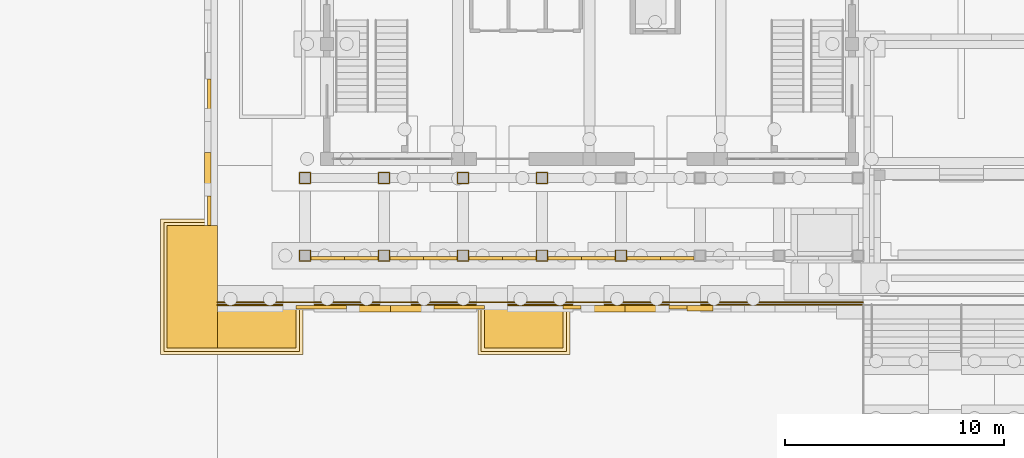
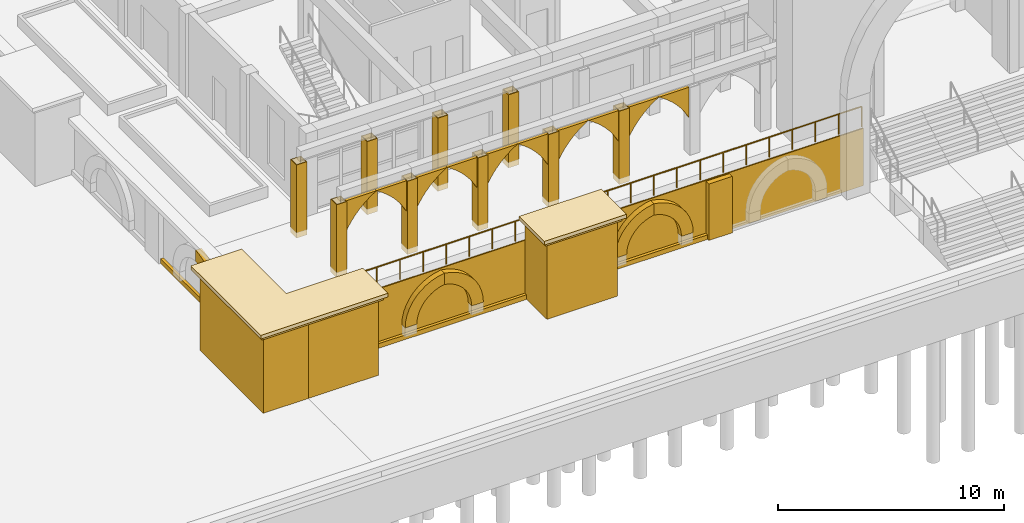
# One storey, part 87 of 161: 36 coverings, 1 railing.
"""IFC4 building model written with IfcOpenShell, lengths in metres."""

from ifc_helpers import new_model, si_unit, direction, frame, frame_2d, origin, origin_2d, place, context, subcontext, project, spatial, polyline, rectangle, circle, outline, extrude, material, layer, layer_set, type_object, element, save


model = new_model("IFC4")

# Units and contexts
model_context = context("Model", 3, precision=1e-05, world=origin(), true_north=direction((0.0, 1.0)))
body_context = subcontext(model_context, "Body", "Model", "MODEL_VIEW")
ifc_project = project(units=[si_unit("LENGTHUNIT", "METRE"), si_unit("AREAUNIT", "SQUARE_METRE"), si_unit("VOLUMEUNIT", "CUBIC_METRE"), si_unit("PLANEANGLEUNIT", "RADIAN"), si_unit("MASSUNIT", "GRAM", prefix="KILO")], contexts=[model_context])

# Site, building, storey
site_placement = place(None, origin())
site = spatial("IfcSite", under=ifc_project, at=site_placement, CompositionType="ELEMENT")
building_placement = place(site_placement, origin())
building = spatial("IfcBuilding", under=site, at=building_placement, Name="Elbe Cascade School", CompositionType="ELEMENT")
storey_placement = place(building_placement, origin())
storey = spatial("IfcBuildingStorey", under=building, at=storey_placement, Name="L00", CompositionType="ELEMENT", Elevation=0.0)

# Coverings
ifc_material_1 = material(Name="Sandstone - red", Category="masonry")
ifc_layer_1 = layer(ifc_material_1, 0.199951171875)
ifc_layer_set_1 = layer_set([ifc_layer_1], Name="Sandstone - red")
covering_type_1 = type_object("IfcCoveringType", Name="Bastion coping course 200", PredefinedType="CLADDING", material=ifc_layer_set_1)
covering_1_placement = place(storey_placement, frame((0.0, 0.0, 1.0)))
element("IfcCovering", 1, at=covering_1_placement, inside=storey, type_object=covering_type_1, Name="Bastion coping course 1 S1", PredefinedType="CLADDING", context=body_context, shape_type="SweptSolid", body=[
    extrude(outline(polyline([(15.949951171875, -2.64990234375), (15.949951171875, -0.56005859375), (12.050048828125, -0.56005859375), (12.050048828125, -2.64990234375), (15.949951171875, -2.64990234375)])), origin(), (0.0, 0.0, 1.0), 0.199951171875),
])
covering_2_placement = place(storey_placement, frame((0.0, 0.0, 1.199951171875)))
element("IfcCovering", 2, at=covering_2_placement, inside=storey, type_object=covering_type_1, Name="Bastion coping course 2 S1", PredefinedType="CLADDING", context=body_context, shape_type="SweptSolid", body=[
    extrude(outline(polyline([(16.10009765625, -2.800048828125), (16.10009765625, -0.56005859375), (11.89990234375, -0.56005859375), (11.89990234375, -2.800048828125), (16.10009765625, -2.800048828125)])), origin(), (0.0, 0.0, 1.0), 0.199951171875),
])
covering_3_placement = place(storey_placement, frame((0.0, 0.0, 1.0)))
element("IfcCovering", 3, at=covering_3_placement, inside=storey, type_object=covering_type_1, Name="Bastion coping course 1 SW", PredefinedType="CLADDING", context=body_context, shape_type="SweptSolid", body=[
    extrude(outline(polyline([(3.75, -0.56005859375), (0.0, -0.56005859375), (0.0, 3.25), (-2.449951171875, 3.25), (-2.449951171875, -2.64990234375), (3.75, -2.64990234375), (3.75, -0.56005859375)])), origin(), (0.0, 0.0, 1.0), 0.199951171875),
])
covering_4_placement = place(storey_placement, frame((0.0, 0.0, 1.199951171875)))
element("IfcCovering", 4, at=covering_4_placement, inside=storey, type_object=covering_type_1, Name="Bastion coping course 2 SW", PredefinedType="CLADDING", context=body_context, shape_type="SweptSolid", body=[
    extrude(outline(polyline([(3.89990234375, -0.56005859375), (0.0, -0.56005859375), (0.0, 3.39990234375), (-2.60009765625, 3.39990234375), (-2.60009765625, -2.800048828125), (3.89990234375, -2.800048828125), (3.89990234375, -0.56005859375)])), origin(), (0.0, 0.0, 1.0), 0.199951171875),
])
ifc_material_2 = material(Name="Sandstone - red", Category="masonry")
ifc_layer_2 = layer(ifc_material_2, 0.14990234375)
ifc_layer_set_2 = layer_set([ifc_layer_2], Name="Sandstone - red")
covering_type_2 = type_object("IfcCoveringType", Name="Plinth base course 150x250", PredefinedType="CLADDING", material=ifc_layer_set_2)
covering_5_placement = place(storey_placement, frame((0.0, 0.0, -3.10009765625)))
element("IfcCovering", 5, at=covering_5_placement, inside=storey, type_object=covering_type_2, Name="Plinth base course west 0.1.1", PredefinedType="CLADDING", context=body_context, shape_type="SweptSolid", body=[
    extrude(outline(polyline([(-0.449951171875, 3.10009765625), (-0.300048828125, 3.10009765625), (-0.300048828125, 9.800048828125), (-0.449951171875, 9.800048828125), (-0.449951171875, 3.10009765625)])), origin(), (0.0, 0.0, 1.0), 0.25),
])
covering_6_placement = place(storey_placement, frame((0.0, 0.0, -3.10009765625)))
element("IfcCovering", 6, at=covering_6_placement, inside=storey, type_object=covering_type_2, Name="Plinth base course south 0.1.1", PredefinedType="CLADDING", context=body_context, shape_type="SweptSolid", body=[
    extrude(outline(polyline([(3.60009765625, -0.7099609375), (12.199951171875, -0.7099609375), (12.199951171875, -0.56005859375), (3.60009765625, -0.56005859375), (3.60009765625, -0.7099609375)])), origin(), (0.0, 0.0, 1.0), 0.25),
])
covering_7_placement = place(storey_placement, frame((0.0, 0.0, -3.10009765625)))
element("IfcCovering", 7, at=covering_7_placement, inside=storey, type_object=covering_type_2, Name="Plinth base course south 0.2.1", PredefinedType="CLADDING", context=body_context, shape_type="SweptSolid", body=[
    extrude(outline(polyline([(15.800048828125, -0.7099609375), (21.449951171875, -0.7099609375), (21.449951171875, -0.56005859375), (15.800048828125, -0.56005859375), (15.800048828125, -0.7099609375)])), origin(), (0.0, 0.0, 1.0), 0.25),
])
ifc_material_3 = material(Name="Sandstone - red", Category="masonry")
ifc_layer_3 = layer(ifc_material_3, 2.300048828125)
ifc_layer_set_3 = layer_set([ifc_layer_3], Name="Sandstone - red")
covering_type_3 = type_object("IfcCoveringType", Name="Plinth bastion 3600x2300", PredefinedType="CLADDING", material=ifc_layer_set_3)
covering_8_placement = place(storey_placement, frame((0.0, 0.0, -3.10009765625)))
element("IfcCovering", 8, at=covering_8_placement, inside=storey, type_object=covering_type_3, Name="Plinth bastion S1 1", PredefinedType="CLADDING", context=body_context, shape_type="SweptSolid", body=[
    extrude(outline(polyline([(12.199951171875, -2.5), (15.800048828125, -2.5), (15.800048828125, -0.56005859375), (12.199951171875, -0.56005859375), (12.199951171875, -2.5)])), origin(), (0.0, 0.0, 1.0), 4.10009765625),
])
covering_9_placement = place(storey_placement, frame((0.0, 0.0, -3.10009765625)))
element("IfcCovering", 9, at=covering_9_placement, inside=storey, type_object=covering_type_3, Name="Plinth bastion SW 1", PredefinedType="CLADDING", context=body_context, shape_type="SweptSolid", body=[
    extrude(outline(polyline([(-2.300048828125, -2.5), (0.0, -2.5), (0.0, 3.10009765625), (-2.300048828125, 3.10009765625), (-2.300048828125, -2.5)])), origin(), (0.0, 0.0, 1.0), 4.10009765625),
])
covering_10_placement = place(storey_placement, frame((0.0, 0.0, -3.10009765625)))
element("IfcCovering", 10, at=covering_10_placement, inside=storey, type_object=covering_type_3, Name="Plinth bastion SW 2", PredefinedType="CLADDING", context=body_context, shape_type="SweptSolid", body=[
    extrude(outline(polyline([(0.0, -2.5), (3.60009765625, -2.5), (3.60009765625, -0.56005859375), (0.0, -0.56005859375), (0.0, -2.5)])), origin(), (0.0, 0.0, 1.0), 4.10009765625),
])
ifc_material_4 = material(Name="Sandstone - red", Category="masonry")
ifc_layer_4 = layer(ifc_material_4, 0.300048828125)
ifc_layer_set_4 = layer_set([ifc_layer_4], Name="Sandstone - red")
covering_type_4 = type_object("IfcCoveringType", Name="Plinth niche arch band 600x300", PredefinedType="CLADDING", material=ifc_layer_set_4)
covering_11_placement = place(storey_placement, frame((-0.60009765625, 4.474609375, -2.0341796875), z_axis=(-1.0, 0.0, 0.0), x_axis=(0.0, 0.229640615433, 0.973275494268)))
element("IfcCovering", 11, at=covering_11_placement, inside=storey, type_object=covering_type_4, Name="Plinth niche arch band west 0.1.1b", PredefinedType="CLADDING", context=body_context, shape_type="SweptSolid", body=[
    extrude(outline(polyline([(0.0, 0.0), (0.31681637027835047, 0.0), (0.6296088823787412, 0.04886067811575373), (0.9315267427864806, 0.14518832098545423), (1.2145444352234966, 0.28686300931093206), (1.4726067943887962, 0.47054739410121904), (1.6993783319645008, 0.6917160459280074), (1.8891803432917578, 0.9454377254653902), (2.037954729394572, 1.2251445961231031), (2.1416433912969475, 1.5242688213108815), (1.5575830483008861, 1.66207561641209), (1.4825516767193998, 1.4525140307106628), (1.3764245808426212, 1.2568113139460797), (1.2416232623821883, 1.0799146970257483), (1.0812393643827247, 0.9253590720062276), (0.899007955873922, 0.7972800499997257), (0.6996279279093016, 0.6985824547516934), (0.4872108101606949, 0.6318080070394001), (0.26725112189532263, 0.5979178949791348), (0.04458659872137888, 0.5982791165847868), (-0.17533094702333402, 0.6326087149319284), (-0.3131377421245425, 0.04854837193586718), (0.0, 0.0)])), origin(), (0.0, 0.0, -1.0), 0.300048828125),
])
covering_12_placement = place(storey_placement, frame((5.89990234375, -0.860107421875, -2.35009765625), z_axis=(0.0, -1.0, 0.0), x_axis=(1.0, 0.0, 0.0)))
element("IfcCovering", 12, at=covering_12_placement, inside=storey, type_object=covering_type_4, Name="Plinth niche arch band south 0.1.1a", PredefinedType="CLADDING", context=body_context, shape_type="SweptSolid", body=[
    extrude(outline(polyline([(0.0, 0.0), (0.60009765625, 0.0), (0.61669921875, 0.234619140625), (0.666015625, 0.464599609375), (0.746826171875, 0.685302734375), (0.858154296875, 0.892578125), (0.997314453125, 1.08203125), (1.16162109375, 1.250244140625), (1.347900390625, 1.393798828125), (1.552490234375, 1.509521484375), (1.771484375, 1.595703125), (2.0, 1.650146484375), (2.0, 2.256103515625), (1.6767578125, 2.193115234375), (1.3662109375, 2.083984375), (1.074462890625, 1.930908203125), (0.807861328125, 1.737548828125), (0.572021484375, 1.507568359375), (0.3720703125, 1.245849609375), (0.2119140625, 0.9580078125), (0.09521484375, 0.650146484375), (0.02392578125, 0.32861328125), (0.0, 0.0)])), origin(), (0.0, 0.0, -1.0), 0.300048828125),
])
covering_13_placement = place(storey_placement, frame((9.876220703125, -0.860107421875, -2.021484375), z_axis=(0.0, -1.0, 0.0), x_axis=(-0.216459489286, 0.0, 0.976291600649)))
element("IfcCovering", 13, at=covering_13_placement, inside=storey, type_object=covering_type_4, Name="Plinth niche arch band south 0.1.1b", PredefinedType="CLADDING", context=body_context, shape_type="SweptSolid", body=[
    extrude(outline(polyline([(0.0, 0.0), (0.32934135960117644, 0.0), (0.6551644417049964, 0.04729296121112139), (0.9708493103907654, 0.14134607453088394), (1.2696973028493448, 0.28014356965241727), (1.545222228379718, 0.4603722209510249), (1.7917058001605646, 0.6787986155785705), (2.004304414248379, 0.9304949932625219), (2.1780687735896525, 1.2100568888472178), (2.3095853888902678, 1.512239462730118), (1.7179946289265977, 1.643404612243703), (1.6153248124213089, 1.4318531562628691), (1.483783040712662, 1.2367058500948127), (1.3265185703197675, 1.0620157711342504), (1.146045413213602, 0.9112266325612076), (0.946254849459528, 0.7872267157841368), (0.7311708184544712, 0.6923747507733593), (0.5047115664853533, 0.628552762616067), (0.2717487496053557, 0.5974313901794459), (0.036545745541084515, 0.5990656517947303), (-0.1961045165427231, 0.6336432251247164), (-0.3259485021812721, 0.048011276200165015), (0.0, 0.0)])), origin(), (0.0, 0.0, -1.0), 0.300048828125),
])
covering_14_placement = place(storey_placement, frame((16.625, -0.860107421875, -2.35009765625), z_axis=(0.0, -1.0, 0.0), x_axis=(1.0, 0.0, 0.0)))
element("IfcCovering", 14, at=covering_14_placement, inside=storey, type_object=covering_type_4, Name="Plinth niche arch band south 0.2.1a", PredefinedType="CLADDING", context=body_context, shape_type="SweptSolid", body=[
    extrude(outline(polyline([(0.0, 0.0), (0.60009765625, 0.0), (0.616455078125, 0.234619140625), (0.665771484375, 0.464599609375), (0.746826171875, 0.685302734375), (0.85791015625, 0.892578125), (0.997314453125, 1.08203125), (1.16162109375, 1.250244140625), (1.347900390625, 1.393798828125), (1.552490234375, 1.509521484375), (1.771240234375, 1.595703125), (2.0, 1.650146484375), (2.0, 2.256103515625), (1.6767578125, 2.193115234375), (1.365966796875, 2.083984375), (1.07421875, 1.930908203125), (0.807861328125, 1.737548828125), (0.572021484375, 1.507568359375), (0.371826171875, 1.245849609375), (0.2119140625, 0.9580078125), (0.094970703125, 0.650146484375), (0.02392578125, 0.32861328125), (0.0, 0.0)])), origin(), (0.0, 0.0, -1.0), 0.300048828125),
])
covering_15_placement = place(storey_placement, frame((20.60107421875, -0.860107421875, -2.021484375), z_axis=(0.0, -1.0, 0.0), x_axis=(-0.215752753128, 0.0, 0.976448027044)))
element("IfcCovering", 15, at=covering_15_placement, inside=storey, type_object=covering_type_4, Name="Plinth niche arch band south 0.2.1b", PredefinedType="CLADDING", context=body_context, shape_type="SweptSolid", body=[
    extrude(outline(polyline([(0.0, 0.0), (0.32928859931076776, 0.0), (0.6551300375067007, 0.04776718341293948), (0.9706940700222042, 0.14181038697143714), (1.2694415169352804, 0.2808241640277199), (1.544888587491183, 0.4614905948572066), (1.7911613148059853, 0.6798569564361285), (2.003577685153772, 0.9317071556807464), (2.1771923147486576, 1.211633146349308), (2.308437489582378, 1.513672447496494), (1.7167519419450257, 1.644409345266023), (1.614235281859136, 1.4327836281292001), (1.482887474156685, 1.237779548447321), (1.325749492725996, 1.0629756808496802), (1.1453855301921871, 0.9120559479895607), (0.9456847749460033, 0.7879114471850753), (0.730616783973809, 0.6926654298475355), (0.5042564622859574, 0.6289179286514578), (0.2712635593352524, 0.5973895458021641), (0.03605943394289521, 0.5988535575169711), (-0.19656312183069619, 0.633501110726002), (-0.32603584331236496, 0.04753693824710932), (0.0, 0.0)])), origin(), (0.0, 0.0, -1.0), 0.300048828125),
])
ifc_material_5 = material(Name="Sandstone - red", Category="masonry")
ifc_layer_5 = layer(ifc_material_5, 0.25)
ifc_layer_set_5 = layer_set([ifc_layer_5], Name="Sandstone - red")
covering_type_5 = type_object("IfcCoveringType", Name="Plinth pilaster 1200x250", PredefinedType="CLADDING", material=ifc_layer_set_5)
covering_16_placement = place(storey_placement, frame((0.0, 0.0, -3.10009765625)))
element("IfcCovering", 16, at=covering_16_placement, inside=storey, type_object=covering_type_5, Name="Plinth pilaster south 0.2.1", PredefinedType="CLADDING", context=body_context, shape_type="SweptSolid", body=[
    extrude(outline(polyline([(21.449951171875, -0.81005859375), (22.64990234375, -0.81005859375), (22.64990234375, -0.56005859375), (21.449951171875, -0.56005859375), (21.449951171875, -0.81005859375)])), origin(), (0.0, 0.0, 1.0), 3.050048828125),
])

# Railing
ifc_material_6 = material(Name="Steel S355J2H", Category="steel")
railing_type = type_object("IfcRailingType", Name="Quay and steps guard 1100", PredefinedType="GUARDRAIL", material=ifc_material_6)
railing_placement = place(storey_placement, frame((0.0, -0.39990234375, 0.0)))
element("IfcRailing", 17, at=railing_placement, inside=storey, type_object=railing_type, Name="Quay guard 1", PredefinedType="GUARDRAIL", context=body_context, shape_type="SweptSolid", body=[
    extrude(circle(Radius=0.02392578125, at=origin_2d()), frame((0.0, 0.0, 1.076171875), z_axis=(1.0, 0.0, 0.0), x_axis=(0.0, 1.0, 0.0)), (0.0, 0.0, 1.0), 29.5),
    extrude(circle(Radius=0.02099609375, at=origin_2d()), origin(), (0.0, 0.0, 1.0), 1.052001953125),
    extrude(circle(Radius=0.02099609375, at=origin_2d()), frame((1.179931640625, 0.0, 0.0)), (0.0, 0.0, 1.0), 1.052001953125),
    extrude(circle(Radius=0.02099609375, at=origin_2d()), frame((2.360107421875, 0.0, 0.0)), (0.0, 0.0, 1.0), 1.052001953125),
    extrude(circle(Radius=0.02099609375, at=origin_2d()), frame((3.5400390625, 0.0, 0.0)), (0.0, 0.0, 1.0), 1.052001953125),
    extrude(circle(Radius=0.02099609375, at=origin_2d()), frame((4.719970703125, 0.0, 0.0)), (0.0, 0.0, 1.0), 1.052001953125),
    extrude(circle(Radius=0.02099609375, at=origin_2d()), frame((5.89990234375, 0.0, 0.0)), (0.0, 0.0, 1.0), 1.052001953125),
    extrude(circle(Radius=0.02099609375, at=origin_2d()), frame((7.080078125, 0.0, 0.0)), (0.0, 0.0, 1.0), 1.052001953125),
    extrude(circle(Radius=0.02099609375, at=origin_2d()), frame((8.260009765625, 0.0, 0.0)), (0.0, 0.0, 1.0), 1.052001953125),
    extrude(circle(Radius=0.02099609375, at=origin_2d()), frame((9.43994140625, 0.0, 0.0)), (0.0, 0.0, 1.0), 1.052001953125),
    extrude(circle(Radius=0.02099609375, at=origin_2d()), frame((10.6201171875, 0.0, 0.0)), (0.0, 0.0, 1.0), 1.052001953125),
    extrude(circle(Radius=0.02099609375, at=origin_2d()), frame((11.800048828125, 0.0, 0.0)), (0.0, 0.0, 1.0), 1.052001953125),
    extrude(circle(Radius=0.02099609375, at=origin_2d()), frame((12.97998046875, 0.0, 0.0)), (0.0, 0.0, 1.0), 1.052001953125),
    extrude(circle(Radius=0.02099609375, at=origin_2d()), frame((14.159912109375, 0.0, 0.0)), (0.0, 0.0, 1.0), 1.052001953125),
    extrude(circle(Radius=0.02099609375, at=origin_2d()), frame((15.340087890625, 0.0, 0.0)), (0.0, 0.0, 1.0), 1.052001953125),
    extrude(circle(Radius=0.02099609375, at=origin_2d()), frame((16.52001953125, 0.0, 0.0)), (0.0, 0.0, 1.0), 1.052001953125),
    extrude(circle(Radius=0.02099609375, at=origin_2d()), frame((17.699951171875, 0.0, 0.0)), (0.0, 0.0, 1.0), 1.052001953125),
    extrude(circle(Radius=0.02099609375, at=origin_2d()), frame((18.8798828125, 0.0, 0.0)), (0.0, 0.0, 1.0), 1.052001953125),
    extrude(circle(Radius=0.02099609375, at=origin_2d()), frame((20.06005859375, 0.0, 0.0)), (0.0, 0.0, 1.0), 1.052001953125),
    extrude(circle(Radius=0.02099609375, at=origin_2d()), frame((21.239990234375, 0.0, 0.0)), (0.0, 0.0, 1.0), 1.052001953125),
    extrude(circle(Radius=0.02099609375, at=origin_2d()), frame((22.419921875, 0.0, 0.0)), (0.0, 0.0, 1.0), 1.052001953125),
    extrude(circle(Radius=0.02099609375, at=origin_2d()), frame((23.60009765625, 0.0, 0.0)), (0.0, 0.0, 1.0), 1.052001953125),
    extrude(circle(Radius=0.02099609375, at=origin_2d()), frame((24.780029296875, 0.0, 0.0)), (0.0, 0.0, 1.0), 1.052001953125),
    extrude(circle(Radius=0.02099609375, at=origin_2d()), frame((25.9599609375, 0.0, 0.0)), (0.0, 0.0, 1.0), 1.052001953125),
    extrude(circle(Radius=0.02099609375, at=origin_2d()), frame((27.139892578125, 0.0, 0.0)), (0.0, 0.0, 1.0), 1.052001953125),
    extrude(circle(Radius=0.02099609375, at=origin_2d()), frame((28.320068359375, 0.0, 0.0)), (0.0, 0.0, 1.0), 1.052001953125),
    extrude(circle(Radius=0.02099609375, at=origin_2d()), frame((29.5, 0.0, 0.0)), (0.0, 0.0, 1.0), 1.052001953125),
])

# Coverings
ifc_material_7 = material(Name="Sandstone - red", Category="masonry")
ifc_layer_6 = layer(ifc_material_7, 0.14990234375)
ifc_layer_set_6 = layer_set([ifc_layer_6], Name="Sandstone - red")
covering_type_6 = type_object("IfcCoveringType", Name="Sandstone arch spandrel 3081x150", PredefinedType="CLADDING", material=ifc_layer_set_6)
covering_17_placement = place(storey_placement, frame((4.264892578125, 1.52490234375, 3.64990234375), z_axis=(0.0, -1.0, 0.0), x_axis=(0.0, 0.0, -1.0)))
element("IfcCovering", 18, at=covering_17_placement, inside=storey, type_object=covering_type_6, Name="Colonnade arch spandrel 1l", PredefinedType="CLADDING", context=body_context, shape_type="SweptSolid", body=[
    extrude(outline(polyline([(0.0, 0.0), (1.64990234375, 0.0), (1.39892578125, 0.137451171875), (1.15869140625, 0.292236328125), (0.929931640625, 0.4638671875), (0.714111328125, 0.651611328125), (0.51220703125, 0.85400390625), (0.3251953125, 1.0703125), (0.154052734375, 1.299560546875), (0.0, 1.54052734375), (0.0, 0.0)])), origin(), (0.0, 0.0, -1.0), 0.14990234375),
])
covering_18_placement = place(storey_placement, frame((5.805419921875, 1.52490234375, 3.64990234375), z_axis=(0.0, -1.0, 0.0), x_axis=(0.842286914435, 0.0, -0.539029455384)))
element("IfcCovering", 19, at=covering_18_placement, inside=storey, type_object=covering_type_6, Name="Colonnade arch spandrel 1r", PredefinedType="CLADDING", context=body_context, shape_type="SweptSolid", body=[
    extrude(outline(polyline([(0.0, 0.0), (0.28579650487798125, 0.0), (0.5711400256003046, -0.020579704202514038), (0.8541387485039988, -0.06150052426772967), (1.133649368275382, -0.12233471134516138), (1.4079116702396142, -0.20304931354871625), (1.675782349083013, -0.3032165820279087), (1.9358549015156354, -0.4219974950248143), (2.186706348304491, -0.5594331381189287), (1.2973603865163101, 0.8302580161174359), (0.0, 0.0)])), origin(), (0.0, 0.0, -1.0), 0.14990234375),
])
covering_19_placement = place(storey_placement, frame((7.875732421875, 1.52490234375, 3.64990234375), z_axis=(0.0, -1.0, 0.0), x_axis=(0.0, 0.0, -1.0)))
element("IfcCovering", 20, at=covering_19_placement, inside=storey, type_object=covering_type_6, Name="Colonnade arch spandrel 2l", PredefinedType="CLADDING", context=body_context, shape_type="SweptSolid", body=[
    extrude(outline(polyline([(0.0, 0.0), (1.64990234375, 0.0), (1.39892578125, 0.13720703125), (1.15869140625, 0.292236328125), (0.929931640625, 0.4638671875), (0.714111328125, 0.6513671875), (0.51220703125, 0.853759765625), (0.3251953125, 1.0703125), (0.154052734375, 1.299560546875), (0.0, 1.540283203125), (0.0, 0.0)])), origin(), (0.0, 0.0, -1.0), 0.14990234375),
])
covering_20_placement = place(storey_placement, frame((9.416015625, 1.52490234375, 3.64990234375), z_axis=(0.0, -1.0, 0.0), x_axis=(0.842534850417, 0.0, -0.538641834461)))
element("IfcCovering", 21, at=covering_20_placement, inside=storey, type_object=covering_type_6, Name="Colonnade arch spandrel 2r", PredefinedType="CLADDING", context=body_context, shape_type="SweptSolid", body=[
    extrude(outline(polyline([(0.0, 0.0), (0.2860021716082097, 0.0), (0.5711304957412835, -0.020842502299275978), (0.8543160566587081, -0.061762030681235036), (1.133592958049261, -0.12285632768483229), (1.4080237885265454, -0.2035656140784401), (1.6758483487643039, -0.3038561280468969), (1.9356605216829417, -0.422888200742761), (2.1864487032652127, -0.560439254273487), (1.2977422781454928, 0.8296609701213841), (0.0, 0.0)])), origin(), (0.0, 0.0, -1.0), 0.14990234375),
])
covering_21_placement = place(storey_placement, frame((11.486328125, 1.52490234375, 3.64990234375), z_axis=(0.0, -1.0, 0.0), x_axis=(0.0, 0.0, -1.0)))
element("IfcCovering", 22, at=covering_21_placement, inside=storey, type_object=covering_type_6, Name="Colonnade arch spandrel 3l", PredefinedType="CLADDING", context=body_context, shape_type="SweptSolid", body=[
    extrude(outline(polyline([(0.0, 0.0), (1.64990234375, 0.0), (1.39892578125, 0.137451171875), (1.15869140625, 0.292236328125), (0.929931640625, 0.4638671875), (0.714111328125, 0.6513671875), (0.51220703125, 0.85400390625), (0.3251953125, 1.0703125), (0.154052734375, 1.299560546875), (0.0, 1.540283203125), (0.0, 0.0)])), origin(), (0.0, 0.0, -1.0), 0.14990234375),
])
covering_22_placement = place(storey_placement, frame((13.026611328125, 1.52490234375, 3.64990234375), z_axis=(0.0, -1.0, 0.0), x_axis=(0.842534850417, 0.0, -0.538641834461)))
element("IfcCovering", 23, at=covering_22_placement, inside=storey, type_object=covering_type_6, Name="Colonnade arch spandrel 3r", PredefinedType="CLADDING", context=body_context, shape_type="SweptSolid", body=[
    extrude(outline(polyline([(0.0, 0.0), (0.2860021716082097, 0.0), (0.5713361927262486, -0.020710997945159404), (0.8543160566587081, -0.061762030681235036), (1.1337986550342263, -0.12272482333071572), (1.4080237885265454, -0.2035656140784401), (1.6758483487643039, -0.3038561280468969), (1.9356605216829417, -0.422888200742761), (2.186654400250178, -0.5603077499193704), (1.2979479751304581, 0.8297924744755006), (0.0, 0.0)])), origin(), (0.0, 0.0, -1.0), 0.14990234375),
])
covering_23_placement = place(storey_placement, frame((15.09716796875, 1.52490234375, 3.64990234375), z_axis=(0.0, -1.0, 0.0), x_axis=(0.0, 0.0, -1.0)))
element("IfcCovering", 24, at=covering_23_placement, inside=storey, type_object=covering_type_6, Name="Colonnade arch spandrel 4l", PredefinedType="CLADDING", context=body_context, shape_type="SweptSolid", body=[
    extrude(outline(polyline([(0.0, 0.0), (1.64990234375, 0.0), (1.39892578125, 0.13720703125), (1.15869140625, 0.292236328125), (0.929931640625, 0.463623046875), (0.714111328125, 0.6513671875), (0.51220703125, 0.853759765625), (0.3251953125, 1.0703125), (0.154052734375, 1.29931640625), (0.0, 1.540283203125), (0.0, 0.0)])), origin(), (0.0, 0.0, -1.0), 0.14990234375),
])
covering_24_placement = place(storey_placement, frame((16.637451171875, 1.52490234375, 3.64990234375), z_axis=(0.0, -1.0, 0.0), x_axis=(0.842534850417, 0.0, -0.538641834461)))
element("IfcCovering", 25, at=covering_24_placement, inside=storey, type_object=covering_type_6, Name="Colonnade arch spandrel 4r", PredefinedType="CLADDING", context=body_context, shape_type="SweptSolid", body=[
    extrude(outline(polyline([(0.0, 0.0), (0.2860021716082097, 0.0), (0.5713361927262486, -0.020710997945159404), (0.8543160566587081, -0.061762030681235036), (1.1337986550342263, -0.12272482333071572), (1.4080237885265454, -0.2035656140784401), (1.6758483487643039, -0.3038561280468969), (1.9356605216829417, -0.422888200742761), (2.186654400250178, -0.5603077499193704), (1.2979479751304581, 0.8297924744755006), (0.0, 0.0)])), origin(), (0.0, 0.0, -1.0), 0.14990234375),
])
covering_25_placement = place(storey_placement, frame((18.7080078125, 1.52490234375, 3.64990234375), z_axis=(0.0, -1.0, 0.0), x_axis=(0.0, 0.0, -1.0)))
element("IfcCovering", 26, at=covering_25_placement, inside=storey, type_object=covering_type_6, Name="Colonnade arch spandrel 5l", PredefinedType="CLADDING", context=body_context, shape_type="SweptSolid", body=[
    extrude(outline(polyline([(0.0, 0.0), (1.64990234375, 0.0), (1.39892578125, 0.13720703125), (1.15869140625, 0.2919921875), (0.929931640625, 0.463623046875), (0.714111328125, 0.6513671875), (0.51220703125, 0.853759765625), (0.3251953125, 1.0703125), (0.154052734375, 1.29931640625), (0.0, 1.540283203125), (0.0, 0.0)])), origin(), (0.0, 0.0, -1.0), 0.14990234375),
])
covering_26_placement = place(storey_placement, frame((20.248291015625, 1.52490234375, 3.64990234375), z_axis=(0.0, -1.0, 0.0), x_axis=(0.842286914435, 0.0, -0.539029455384)))
element("IfcCovering", 27, at=covering_26_placement, inside=storey, type_object=covering_type_6, Name="Colonnade arch spandrel 5r", PredefinedType="CLADDING", context=body_context, shape_type="SweptSolid", body=[
    extrude(outline(polyline([(0.0, 0.0), (0.28579650487798125, 0.0), (0.5711400256003046, -0.020579704202514038), (0.8543443849577184, -0.06136892527959886), (1.133649368275382, -0.12233471134516138), (1.4079116702396142, -0.20304931354871625), (1.675782349083013, -0.3032165820279087), (1.9358549015156354, -0.4219974950248143), (2.186706348304491, -0.5594331381189287), (1.2973603865163101, 0.8302580161174359), (0.0, 0.0)])), origin(), (0.0, 0.0, -1.0), 0.14990234375),
])
ifc_material_8 = material(Name="Sandstone - red", Category="masonry")
ifc_layer_7 = layer(ifc_material_8, 0.0400390625)
ifc_layer_set_7 = layer_set([ifc_layer_7], Name="Sandstone - red")
covering_type_7 = type_object("IfcCoveringType", Name="Sandstone column cladding 40", PredefinedType="CLADDING", material=ifc_layer_set_7)
covering_27_placement = place(storey_placement, frame((0.0, 0.0, -0.300048828125)))
element("IfcCovering", 28, at=covering_27_placement, inside=storey, type_object=covering_type_7, Name="Colonnade column sandstone cladding F1", PredefinedType="CLADDING", context=body_context, shape_type="SweptSolid", body=[
    extrude(outline(polyline([(3.735107421875, 1.4599609375), (4.264892578125, 1.4599609375), (4.264892578125, 1.989990234375), (3.735107421875, 1.989990234375), (3.735107421875, 1.4599609375)]), holes=[polyline([(3.77490234375, 1.949951171875), (4.22509765625, 1.949951171875), (4.22509765625, 1.5), (3.77490234375, 1.5), (3.77490234375, 1.949951171875)])]), origin(), (0.0, 0.0, 1.0), 3.949951171875),
])
covering_28_placement = place(storey_placement, frame((0.0, 0.0, -0.300048828125)))
element("IfcCovering", 29, at=covering_28_placement, inside=storey, type_object=covering_type_7, Name="Colonnade column sandstone cladding F2", PredefinedType="CLADDING", context=body_context, shape_type="SweptSolid", body=[
    extrude(outline(polyline([(7.345703125, 1.4599609375), (7.875732421875, 1.4599609375), (7.875732421875, 1.989990234375), (7.345703125, 1.989990234375), (7.345703125, 1.4599609375)]), holes=[polyline([(7.3857421875, 1.949951171875), (7.835693359375, 1.949951171875), (7.835693359375, 1.5), (7.3857421875, 1.5), (7.3857421875, 1.949951171875)])]), origin(), (0.0, 0.0, 1.0), 3.949951171875),
])
covering_29_placement = place(storey_placement, frame((0.0, 0.0, -0.300048828125)))
element("IfcCovering", 30, at=covering_29_placement, inside=storey, type_object=covering_type_7, Name="Colonnade column sandstone cladding F3", PredefinedType="CLADDING", context=body_context, shape_type="SweptSolid", body=[
    extrude(outline(polyline([(10.956298828125, 1.4599609375), (11.486328125, 1.4599609375), (11.486328125, 1.989990234375), (10.956298828125, 1.989990234375), (10.956298828125, 1.4599609375)]), holes=[polyline([(10.996337890625, 1.949951171875), (11.4462890625, 1.949951171875), (11.4462890625, 1.5), (10.996337890625, 1.5), (10.996337890625, 1.949951171875)])]), origin(), (0.0, 0.0, 1.0), 3.949951171875),
])
covering_30_placement = place(storey_placement, frame((0.0, 0.0, -0.300048828125)))
element("IfcCovering", 31, at=covering_30_placement, inside=storey, type_object=covering_type_7, Name="Colonnade column sandstone cladding F4", PredefinedType="CLADDING", context=body_context, shape_type="SweptSolid", body=[
    extrude(outline(polyline([(14.567138671875, 1.4599609375), (15.09716796875, 1.4599609375), (15.09716796875, 1.989990234375), (14.567138671875, 1.989990234375), (14.567138671875, 1.4599609375)]), holes=[polyline([(14.607177734375, 1.949951171875), (15.05712890625, 1.949951171875), (15.05712890625, 1.5), (14.607177734375, 1.5), (14.607177734375, 1.949951171875)])]), origin(), (0.0, 0.0, 1.0), 3.949951171875),
])
covering_31_placement = place(storey_placement, frame((0.0, 0.0, -0.300048828125)))
element("IfcCovering", 32, at=covering_31_placement, inside=storey, type_object=covering_type_7, Name="Colonnade column sandstone cladding F5", PredefinedType="CLADDING", context=body_context, shape_type="SweptSolid", body=[
    extrude(outline(polyline([(18.177978515625, 1.4599609375), (18.7080078125, 1.4599609375), (18.7080078125, 1.989990234375), (18.177978515625, 1.989990234375), (18.177978515625, 1.4599609375)]), holes=[polyline([(18.218017578125, 1.949951171875), (18.66796875, 1.949951171875), (18.66796875, 1.5), (18.218017578125, 1.5), (18.218017578125, 1.949951171875)])]), origin(), (0.0, 0.0, 1.0), 3.949951171875),
])
covering_32_placement = place(storey_placement, frame((0.0, 0.0, -0.300048828125)))
element("IfcCovering", 33, at=covering_32_placement, inside=storey, type_object=covering_type_7, Name="Colonnade column sandstone cladding R1", PredefinedType="CLADDING", context=body_context, shape_type="SweptSolid", body=[
    extrude(outline(polyline([(3.735107421875, 5.010009765625), (4.264892578125, 5.010009765625), (4.264892578125, 5.5400390625), (3.735107421875, 5.5400390625), (3.735107421875, 5.010009765625)]), holes=[polyline([(3.77490234375, 5.5), (4.22509765625, 5.5), (4.22509765625, 5.050048828125), (3.77490234375, 5.050048828125), (3.77490234375, 5.5)])]), origin(), (0.0, 0.0, 1.0), 3.949951171875),
])
covering_33_placement = place(storey_placement, frame((0.0, 0.0, -0.300048828125)))
element("IfcCovering", 34, at=covering_33_placement, inside=storey, type_object=covering_type_7, Name="Colonnade column sandstone cladding R2", PredefinedType="CLADDING", context=body_context, shape_type="SweptSolid", body=[
    extrude(outline(polyline([(7.345703125, 5.010009765625), (7.875732421875, 5.010009765625), (7.875732421875, 5.5400390625), (7.345703125, 5.5400390625), (7.345703125, 5.010009765625)]), holes=[polyline([(7.3857421875, 5.5), (7.835693359375, 5.5), (7.835693359375, 5.050048828125), (7.3857421875, 5.050048828125), (7.3857421875, 5.5)])]), origin(), (0.0, 0.0, 1.0), 3.949951171875),
])
covering_34_placement = place(storey_placement, frame((0.0, 0.0, -0.300048828125)))
element("IfcCovering", 35, at=covering_34_placement, inside=storey, type_object=covering_type_7, Name="Colonnade column sandstone cladding R3", PredefinedType="CLADDING", context=body_context, shape_type="SweptSolid", body=[
    extrude(outline(polyline([(10.956298828125, 5.010009765625), (11.486328125, 5.010009765625), (11.486328125, 5.5400390625), (10.956298828125, 5.5400390625), (10.956298828125, 5.010009765625)]), holes=[polyline([(10.996337890625, 5.5), (11.4462890625, 5.5), (11.4462890625, 5.050048828125), (10.996337890625, 5.050048828125), (10.996337890625, 5.5)])]), origin(), (0.0, 0.0, 1.0), 3.949951171875),
])
covering_35_placement = place(storey_placement, frame((0.0, 0.0, -0.300048828125)))
element("IfcCovering", 36, at=covering_35_placement, inside=storey, type_object=covering_type_7, Name="Colonnade column sandstone cladding R4", PredefinedType="CLADDING", context=body_context, shape_type="SweptSolid", body=[
    extrude(outline(polyline([(14.567138671875, 5.010009765625), (15.09716796875, 5.010009765625), (15.09716796875, 5.5400390625), (14.567138671875, 5.5400390625), (14.567138671875, 5.010009765625)]), holes=[polyline([(14.607177734375, 5.5), (15.05712890625, 5.5), (15.05712890625, 5.050048828125), (14.607177734375, 5.050048828125), (14.607177734375, 5.5)])]), origin(), (0.0, 0.0, 1.0), 3.949951171875),
])
ifc_material_9 = material(Name="Sandstone - red", Category="masonry")
ifc_layer_8 = layer(ifc_material_9, 0.06005859375)
ifc_layer_set_8 = layer_set([ifc_layer_8], Name="Sandstone - red")
covering_type_8 = type_object("IfcCoveringType", Name="Sandstone facing 60", PredefinedType="CLADDING", material=ifc_layer_set_8)
covering_36_placement = place(storey_placement, frame((0.0, -0.530029296875, -3.10009765625), z_axis=(0.0, 0.0, 1.0), x_axis=(1.0, 0.0, 0.0)))
element("IfcCovering", 37, at=covering_36_placement, inside=storey, type_object=covering_type_8, Name="Quay wall sandstone facing 1", PredefinedType="CLADDING", context=body_context, shape_type="SweptSolid", body=[
    extrude(rectangle(XDim=29.5, YDim=0.06005859375, at=frame_2d((14.75, 0.0))), origin(), (0.0, 0.0, 1.0), 3.10009765625),
])

save(model, "model.ifc")
